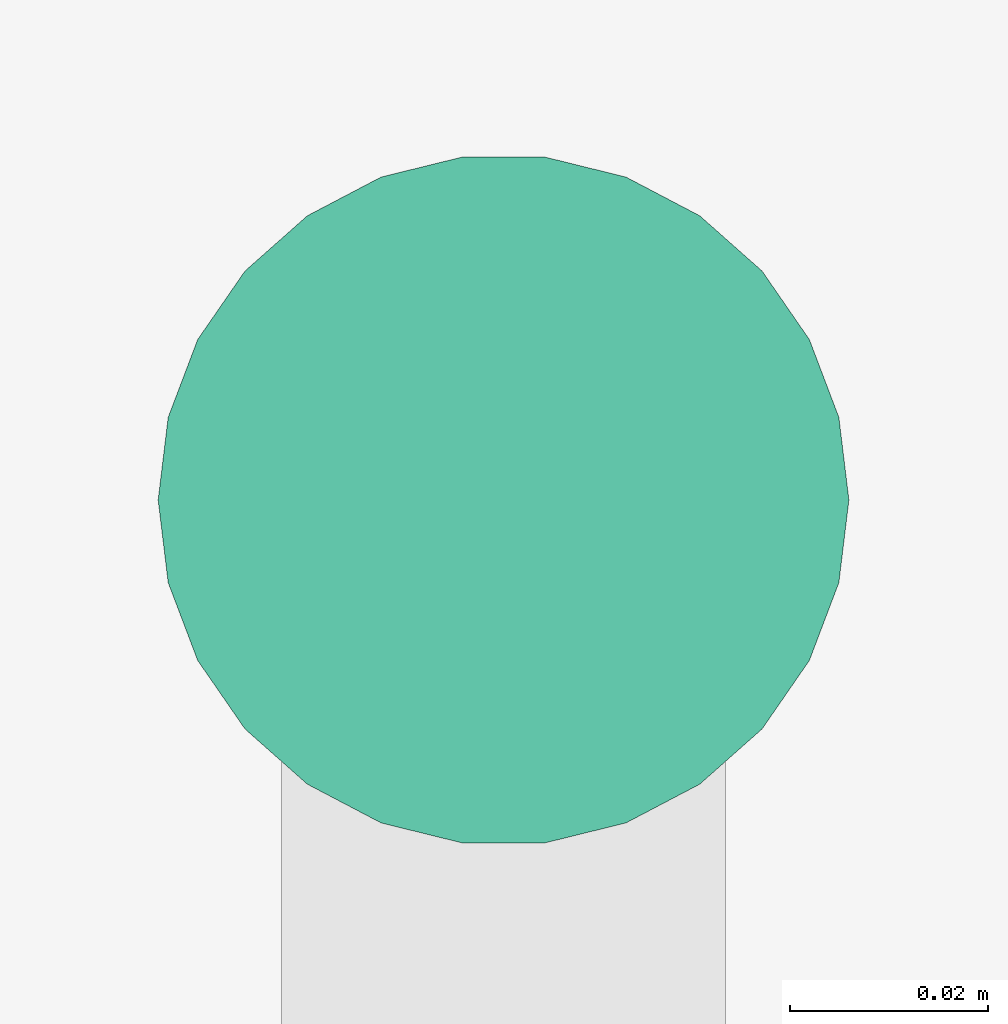
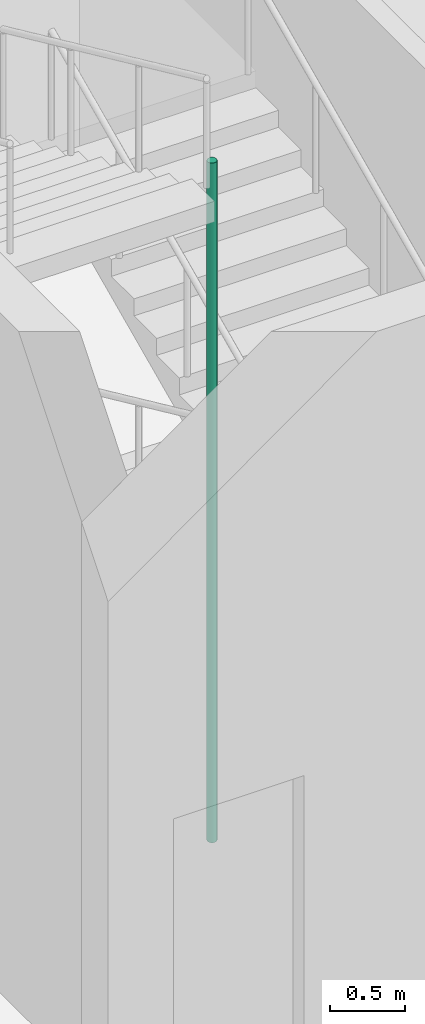
# One storey, part 24 of 33: 1 pipe segment.
"""IFC4 building model written with IfcOpenShell, lengths in metres."""

from ifc_helpers import new_model, si_unit, direction, frame, origin, origin_2d, place, context, subcontext, project, spatial, circle, extrude, element, save


model = new_model("IFC4")

# Units and contexts
model_context = context("Model", 3, precision=1e-05, world=origin(), true_north=direction((0.0, 1.0)))
body_context = subcontext(model_context, "Body", "Model", "MODEL_VIEW")
ifc_project = project(units=[si_unit("LENGTHUNIT", "METRE"), si_unit("AREAUNIT", "SQUARE_METRE"), si_unit("VOLUMEUNIT", "CUBIC_METRE"), si_unit("PLANEANGLEUNIT", "RADIAN"), si_unit("MASSUNIT", "GRAM", prefix="KILO")], contexts=[model_context])

# Site, building, storey
site_placement = place(None, origin())
site = spatial("IfcSite", under=ifc_project, at=site_placement, CompositionType="ELEMENT")
building_placement = place(site_placement, origin())
building = spatial("IfcBuilding", under=site, at=building_placement, Name="Nzadi Deep Aquarium and Research Tower", CompositionType="ELEMENT")
storey_placement = place(building_placement, frame((0.0, 0.0, -5.5)))
storey = spatial("IfcBuildingStorey", under=building, at=storey_placement, Name="B1", CompositionType="ELEMENT", Elevation=-5.5)

# Pipe segment
pipe_segment_placement = place(storey_placement, frame((55.300048828125, 68.9599609375, 0.0), z_axis=(0.0, 0.0, 1.0), x_axis=(1.0, 0.0, 0.0)))
element("IfcPipeSegment", 1, at=pipe_segment_placement, inside=storey, Name="Dry riser ST-Z2-E B1", PredefinedType="RIGIDSEGMENT", context=body_context, shape_type="SweptSolid", body=[
    extrude(circle(Radius=0.034912109375, at=origin_2d()), origin(), (0.0, 0.0, 1.0), 5.5),
])

save(model, "model.ifc")
